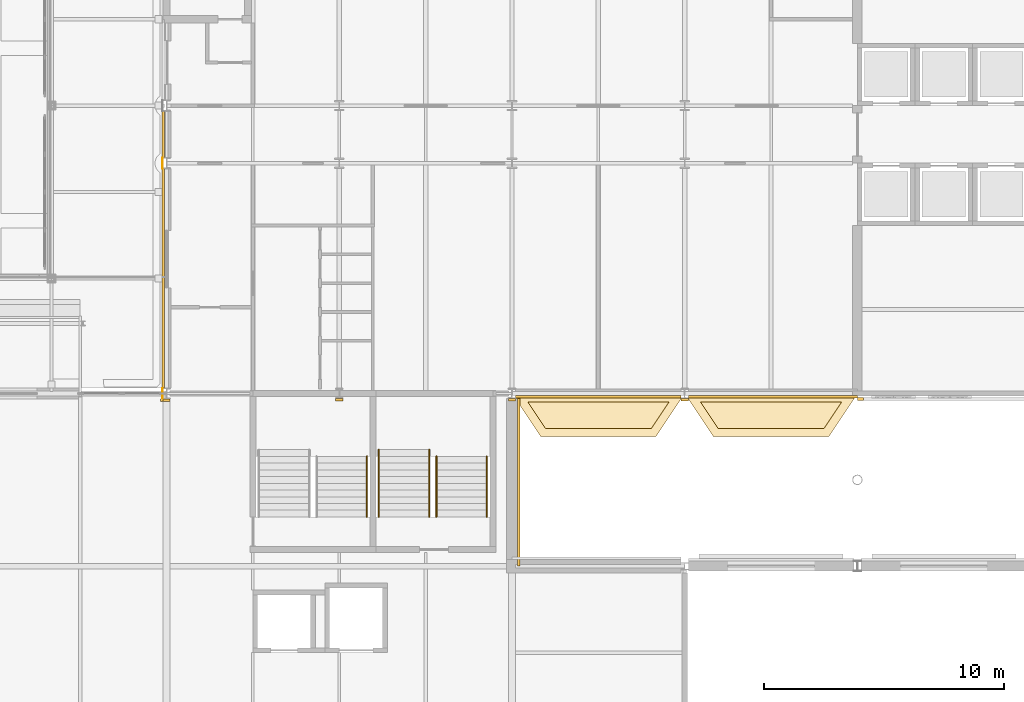
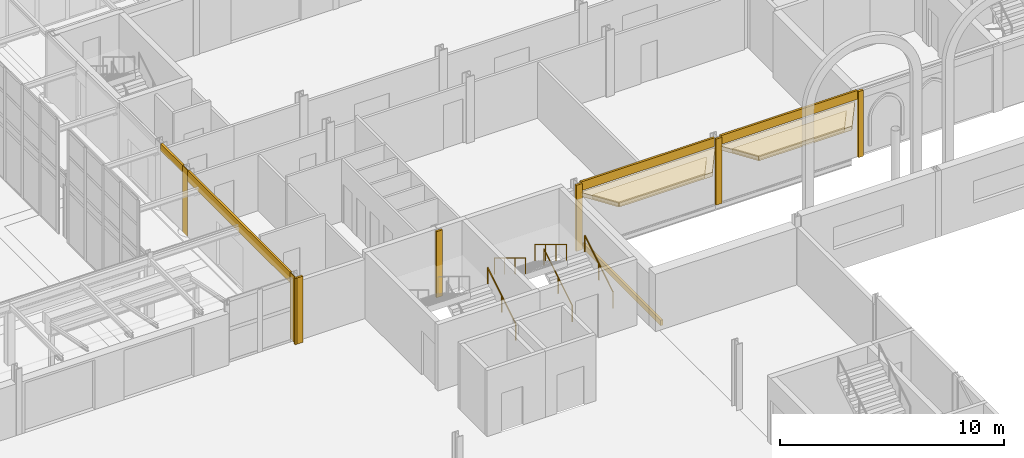
# One storey, part 118 of 143: 17 coverings, 5 railings.
"""IFC4 building model written with IfcOpenShell, lengths in metres."""

from ifc_helpers import new_model, si_unit, direction, frame, origin, origin_2d, place, context, subcontext, project, spatial, polyline, rectangle, circle, outline, extrude, material, layer, layer_set, type_object, element, save


model = new_model("IFC4")

# Units and contexts
model_context = context("Model", 3, precision=1e-05, world=origin(), true_north=direction((0.0, 1.0)))
body_context = subcontext(model_context, "Body", "Model", "MODEL_VIEW")
ifc_project = project(units=[si_unit("LENGTHUNIT", "METRE"), si_unit("AREAUNIT", "SQUARE_METRE"), si_unit("VOLUMEUNIT", "CUBIC_METRE"), si_unit("PLANEANGLEUNIT", "RADIAN"), si_unit("MASSUNIT", "GRAM", prefix="KILO")], contexts=[model_context])

# Site, building, storey
site_placement = place(None, origin())
site = spatial("IfcSite", under=ifc_project, at=site_placement, CompositionType="ELEMENT")
building_placement = place(site_placement, origin())
building = spatial("IfcBuilding", under=site, at=building_placement, Name="Kupolbacken Congress Centre", CompositionType="ELEMENT")
storey_placement = place(building_placement, frame((0.0, 0.0, 7.199951171875)))
storey = spatial("IfcBuildingStorey", under=building, at=storey_placement, Name="L02", CompositionType="ELEMENT", Elevation=7.199951171875)

# Coverings
ifc_material_1 = material(Name="Limestone cladding", Category="masonry")
ifc_layer = layer(ifc_material_1, 0.1201171875)
ifc_layer_set = layer_set([ifc_layer], Name="Limestone cladding")
covering_type = type_object("IfcCoveringType", Name="CV1 limestone cladding band 120", PredefinedType="CLADDING", material=ifc_layer_set)
covering_1_placement = place(storey_placement, frame((79.47998046875, 118.69189453125, 0.0), z_axis=(0.0, 0.0, 1.0), x_axis=(0.0, 1.0, 0.0)))
element("IfcCovering", 1, at=covering_1_placement, inside=storey, type_object=covering_type, Name="E/P/E/L02/276/band", PredefinedType="CLADDING", context=body_context, shape_type="SweptSolid", body=[
    extrude(rectangle(XDim=6.98388671875, YDim=0.1201171875, at=origin_2d()), origin(), (0.0, 0.0, 1.0), 0.300048828125),
])
covering_2_placement = place(storey_placement, frame((0.0, 0.0, 2.840087890625)))
element("IfcCovering", 2, at=covering_2_placement, inside=storey, type_object=covering_type, Name="E/T/corbel2/L03/S/79.2/1", PredefinedType="CLADDING", context=body_context, shape_type="SweptSolid", body=[
    extrude(outline(polyline([(86.273193359375, 122.2099609375), (79.32666015625, 122.2099609375), (80.39990234375, 120.60009765625), (85.199951171875, 120.60009765625), (86.273193359375, 122.2099609375)])), origin(), (0.0, 0.0, 1.0), 0.219970703125),
])
covering_3_placement = place(storey_placement, frame((0.0, 0.0, 2.6201171875)))
element("IfcCovering", 3, at=covering_3_placement, inside=storey, type_object=covering_type, Name="E/T/corbel2/L03/S/79.2/2", PredefinedType="CLADDING", context=body_context, shape_type="SweptSolid", body=[
    extrude(outline(polyline([(79.85400390625, 122.050048828125), (80.58740234375, 120.949951171875), (85.0126953125, 120.949951171875), (85.74609375, 122.050048828125), (79.85400390625, 122.050048828125)])), origin(), (0.0, 0.0, 1.0), 0.219970703125),
])
covering_4_placement = place(storey_placement, frame((0.0, 0.0, 2.840087890625)))
element("IfcCovering", 4, at=covering_4_placement, inside=storey, type_object=covering_type, Name="E/T/corbel2/L03/S/86.4/1", PredefinedType="CLADDING", context=body_context, shape_type="SweptSolid", body=[
    extrude(outline(polyline([(93.473388671875, 122.2099609375), (86.526611328125, 122.2099609375), (87.60009765625, 120.60009765625), (92.39990234375, 120.60009765625), (93.473388671875, 122.2099609375)])), origin(), (0.0, 0.0, 1.0), 0.219970703125),
])
covering_5_placement = place(storey_placement, frame((0.0, 0.0, 2.6201171875)))
element("IfcCovering", 5, at=covering_5_placement, inside=storey, type_object=covering_type, Name="E/T/corbel2/L03/S/86.4/2", PredefinedType="CLADDING", context=body_context, shape_type="SweptSolid", body=[
    extrude(outline(polyline([(87.053955078125, 122.050048828125), (87.787353515625, 120.949951171875), (92.212646484375, 120.949951171875), (92.946044921875, 122.050048828125), (87.053955078125, 122.050048828125)])), origin(), (0.0, 0.0, 1.0), 0.219970703125),
])
covering_6_placement = place(storey_placement, frame((64.66259765625, 133.199951171875, 3.22021484375), z_axis=(0.0, 0.0, 1.0), x_axis=(0.0, -1.0, 0.0)))
element("IfcCovering", 6, at=covering_6_placement, inside=storey, type_object=covering_type, Name="E/T/W/L02/031/band", PredefinedType="CLADDING", context=body_context, shape_type="SweptSolid", body=[
    extrude(rectangle(XDim=1.949951171875, YDim=0.10498046875, at=origin_2d()), origin(), (0.0, 0.0, 1.0), 0.3798828125),
])
covering_7_placement = place(storey_placement, frame((64.66259765625, 127.199951171875, 3.02001953125), z_axis=(0.0, 0.0, 1.0), x_axis=(0.0, -1.0, 0.0)))
element("IfcCovering", 7, at=covering_7_placement, inside=storey, type_object=covering_type, Name="E/T/W/L02/032/band", PredefinedType="CLADDING", context=body_context, shape_type="SweptSolid", body=[
    extrude(rectangle(XDim=9.14990234375, YDim=0.10498046875, at=origin_2d()), origin(), (0.0, 0.0, 1.0), 0.580078125),
])
covering_8_placement = place(storey_placement, frame((82.800048828125, 122.262451171875, 3.1201171875), z_axis=(0.0, 0.0, 1.0), x_axis=(1.0, 0.0, 0.0)))
element("IfcCovering", 8, at=covering_8_placement, inside=storey, type_object=covering_type, Name="E/T/S/L02/023/band", PredefinedType="CLADDING", context=body_context, shape_type="SweptSolid", body=[
    extrude(rectangle(XDim=6.89306640625, YDim=0.10498046875, at=origin_2d()), origin(), (0.0, 0.0, 1.0), 0.47998046875),
])
covering_9_placement = place(storey_placement, frame((90.07666015625, 122.262451171875, 3.1201171875), z_axis=(0.0, 0.0, 1.0), x_axis=(1.0, 0.0, 0.0)))
element("IfcCovering", 9, at=covering_9_placement, inside=storey, type_object=covering_type, Name="E/T/S/L02/024/band", PredefinedType="CLADDING", context=body_context, shape_type="SweptSolid", body=[
    extrude(rectangle(XDim=7.04638671875, YDim=0.10498046875, at=origin_2d()), origin(), (0.0, 0.0, 1.0), 0.47998046875),
])
covering_10_placement = place(storey_placement, frame((64.60009765625, 122.125, 0.0), z_axis=(0.0, 0.0, 1.0), x_axis=(1.0, 0.0, 0.0)))
element("IfcCovering", 10, at=covering_10_placement, inside=storey, type_object=covering_type, Name="E/T/pilaster/L02/C-T-10T/corner", PredefinedType="CLADDING", context=body_context, shape_type="SweptSolid", body=[
    extrude(rectangle(XDim=0.10009765625, YDim=0.10009765625, at=origin_2d()), origin(), (0.0, 0.0, 1.0), 3.60009765625),
])
covering_11_placement = place(storey_placement, frame((64.800048828125, 122.125, 0.0), z_axis=(0.0, 0.0, 1.0), x_axis=(1.0, 0.0, 0.0)))
element("IfcCovering", 11, at=covering_11_placement, inside=storey, type_object=covering_type, Name="E/T/pilaster/L02/C-T-10T/S", PredefinedType="CLADDING", context=body_context, shape_type="SweptSolid", body=[
    extrude(rectangle(XDim=0.300048828125, YDim=0.10009765625, at=origin_2d()), origin(), (0.0, 0.0, 1.0), 3.60009765625),
])
for number, where, z_axis, x_axis, name in (
    (12, (64.6298828125, 122.39990234375, 0.0), (0.0, 0.0, 1.0), (1.0, 0.0, 0.0), "E/T/pilaster/L02/C-T-10T/W"),
    (13, (64.6298828125, 132.0, 0.0), (0.0, 0.0, 1.0), (1.0, 0.0, 0.0), "E/T/pilaster/L02/C-T-10U+2400/W"),
):
    element("IfcCovering", number, at=place(storey_placement, frame(where, z_axis=z_axis, x_axis=x_axis)), inside=storey, type_object=covering_type, Name=name, PredefinedType="CLADDING", context=body_context, shape_type="SweptSolid", body=[
        extrude(rectangle(XDim=0.0400390625, YDim=0.449951171875, at=origin_2d()), origin(), (0.0, 0.0, 1.0), 3.60009765625),
    ])
for number, where, z_axis, x_axis, name in (
    (14, (72.0, 122.134033203125, 0.0), (0.0, 0.0, 1.0), (1.0, 0.0, 0.0), "E/T/pilaster/L02/C-T-11T/S"),
    (15, (79.199951171875, 122.134033203125, 0.0), (0.0, 0.0, 1.0), (1.0, 0.0, 0.0), "E/T/pilaster/L02/C-T-12T/S"),
    (16, (86.39990234375, 122.134033203125, 0.0), (0.0, 0.0, 1.0), (1.0, 0.0, 0.0), "E/T/pilaster/L02/C-T-13T/S"),
):
    element("IfcCovering", number, at=place(storey_placement, frame(where, z_axis=z_axis, x_axis=x_axis)), inside=storey, type_object=covering_type, Name=name, PredefinedType="CLADDING", context=body_context, shape_type="SweptSolid", body=[
        extrude(rectangle(XDim=0.306884765625, YDim=0.10009765625, at=origin_2d()), origin(), (0.0, 0.0, 1.0), 3.60009765625),
    ])
covering_12_placement = place(storey_placement, frame((93.72509765625, 122.1650390625, 0.0), z_axis=(0.0, 0.0, 1.0), x_axis=(1.0, 0.0, 0.0)))
element("IfcCovering", 17, at=covering_12_placement, inside=storey, type_object=covering_type, Name="E/T/stripe/S/L02/pil93.6", PredefinedType="CLADDING", context=body_context, shape_type="SweptSolid", body=[
    extrude(rectangle(XDim=0.25, YDim=0.1201171875, at=origin_2d()), origin(), (0.0, 0.0, 1.0), 3.60009765625),
])

# Railings
ifc_material_2 = material(Name="Steel S235", Category="steel")
railing_type = type_object("IfcRailingType", Name="RL3 handrail wall-mounted 900", PredefinedType="HANDRAIL", material=ifc_material_2)
for number, where, name in (
    (18, (73.14990234375, 117.2548828125, 0.17138671875), "C/stair/PS1NE/L02/HR1R"),
    (19, (76.050048828125, 117.2548828125, 0.17138671875), "C/stair/PS2NE/L02/HR1L"),
    (20, (78.14990234375, 117.2548828125, 0.17138671875), "C/stair/PS2NE/L02/HR1R"),
):
    element("IfcRailing", number, at=place(storey_placement, frame(where)), inside=storey, type_object=railing_type, Name=name, PredefinedType="HANDRAIL", context=body_context, shape_type="SweptSolid", body=[
        extrude(circle(Radius=0.02392578125, at=origin_2d()), frame((0.0, 0.0, 0.8759765625), z_axis=(0.0, 0.852836285881, 0.522178388565), x_axis=(-1.0, 0.0, 0.0)), (0.0, 0.0, 1.0), 2.954833984375),
        extrude(circle(Radius=0.02099609375, at=origin_2d()), origin(), (0.0, 0.0, 1.0), 0.851806640625),
        extrude(circle(Radius=0.02099609375, at=origin_2d()), frame((0.0, 1.260009765625, 0.771484375)), (0.0, 0.0, 1.0), 0.851806640625),
        extrude(circle(Radius=0.02099609375, at=origin_2d()), frame((0.0, 2.52001953125, 1.54296875)), (0.0, 0.0, 1.0), 0.851806640625),
    ])
for number, where, name in (
    (21, (75.75, 120.054931640625, 1.8857421875), "C/stair/PS2NE/L02/HR2L"),
    (22, (73.64990234375, 120.054931640625, 1.8857421875), "C/stair/PS2NE/L02/HR2R"),
):
    element("IfcRailing", number, at=place(storey_placement, frame(where)), inside=storey, type_object=railing_type, Name=name, PredefinedType="HANDRAIL", context=body_context, shape_type="SweptSolid", body=[
        extrude(circle(Radius=0.02392578125, at=origin_2d()), frame((0.0, 0.0, 0.8759765625), z_axis=(0.0, -0.852845897599, 0.522162690116), x_axis=(1.0, 0.0, 0.0)), (0.0, 0.0, 1.0), 3.283203125),
        extrude(circle(Radius=0.02099609375, at=origin_2d()), origin(), (0.0, 0.0, 1.0), 0.851806640625),
        extrude(circle(Radius=0.02099609375, at=origin_2d()), frame((0.0, -0.933349609375, 0.571533203125)), (0.0, 0.0, 1.0), 0.851806640625),
        extrude(circle(Radius=0.02099609375, at=origin_2d()), frame((0.0, -1.86669921875, 1.142822265625)), (0.0, 0.0, 1.0), 0.851806640625),
        extrude(circle(Radius=0.02099609375, at=origin_2d()), frame((0.0, -2.800048828125, 1.71435546875)), (0.0, 0.0, 1.0), 0.851806640625),
    ])

save(model, "model.ifc")
